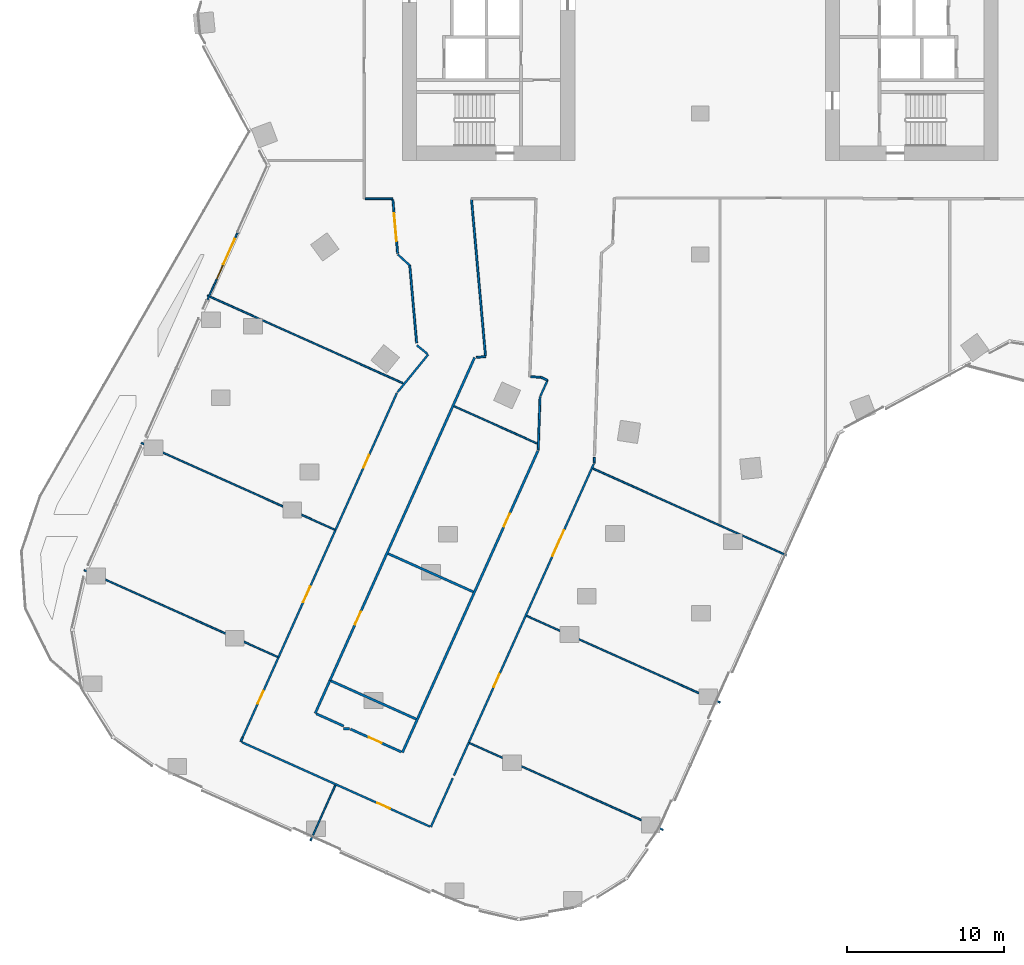
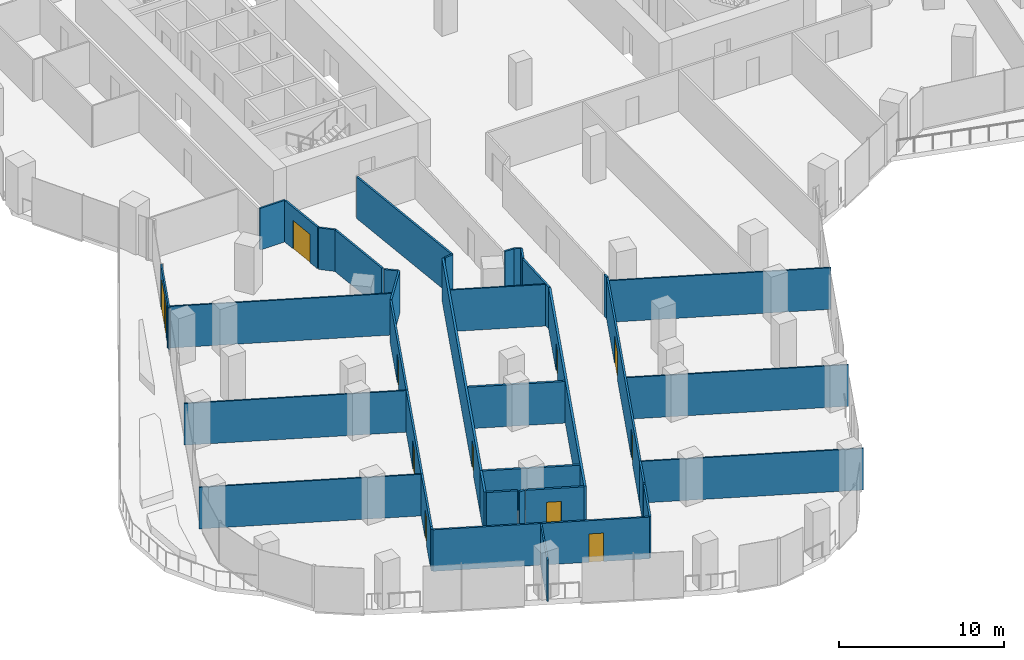
# One storey, part 22 of 32: 38 walls, 11 doors, 1 window, 12 openings.
"""IFC4 building model written with IfcOpenShell, lengths in metres."""

from ifc_helpers import new_model, si_unit, direction, frame, frame_2d, origin, place, context, subcontext, project, spatial, rectangle, extrude, material, layer, layer_set, type_object, element, fill, save


model = new_model("IFC4")

# Units and contexts
model_context = context("Model", 3, precision=1e-05, world=origin(), true_north=direction((0.0, 1.0)))
body_context = subcontext(model_context, "Body", "Model", "MODEL_VIEW")
ifc_project = project(units=[si_unit("LENGTHUNIT", "METRE"), si_unit("AREAUNIT", "SQUARE_METRE"), si_unit("VOLUMEUNIT", "CUBIC_METRE"), si_unit("PLANEANGLEUNIT", "RADIAN"), si_unit("MASSUNIT", "GRAM", prefix="KILO")], contexts=[model_context])

# Site, building, storey
site_placement = place(None, origin())
site = spatial("IfcSite", under=ifc_project, at=site_placement, CompositionType="ELEMENT")
building_placement = place(site_placement, origin())
building = spatial("IfcBuilding", under=site, at=building_placement, Name="Orlundy Tower", CompositionType="ELEMENT")
storey_placement = place(building_placement, frame((0.0, 0.0, 123.699951171875)))
storey = spatial("IfcBuildingStorey", under=building, at=storey_placement, Name="L31", CompositionType="ELEMENT", Elevation=123.699951171875)

# Walls
ifc_material_1 = material(Name="Gypsum board partition")
ifc_layer_1 = layer(ifc_material_1, 0.10009765625)
ifc_layer_set_1 = layer_set([ifc_layer_1], Name="Floor partition 100")
wall_type_1 = type_object("IfcWallType", Name="Floor partition 100", PredefinedType="PARTITIONING", material=ifc_layer_set_1)
wall_1_placement = place(storey_placement, frame((-39.31298828125, -38.14892578125, 0.0), z_axis=(0.0, 0.0, 1.0), x_axis=(0.912365533099, -0.409376518638, 0.0)))
element("IfcWall", 1, at=wall_1_placement, inside=storey, type_object=wall_type_1, Name="wall-int-L31-011", PredefinedType="PARTITIONING", context=body_context, shape_type="SweptSolid", body=[
    extrude(rectangle(XDim=13.532958984375, YDim=0.10009765625, at=frame_2d((6.7666015625, 0.0))), origin(), (0.0, 0.0, 1.0), 3.080078125),
])
wall_2_placement = place(storey_placement, frame((-14.712890625, -49.18798828125, 0.0), z_axis=(0.0, 0.0, 1.0), x_axis=(0.912374858899, -0.409355733865, 0.0)))
element("IfcWall", 2, at=wall_2_placement, inside=storey, type_object=wall_type_1, Name="wall-int-L31-013", PredefinedType="PARTITIONING", context=body_context, shape_type="SweptSolid", body=[
    extrude(rectangle(XDim=13.535888671875, YDim=0.10009765625, at=frame_2d((6.76806640625, 0.0))), origin(), (0.0, 0.0, 1.0), 3.080078125),
])
wall_3_placement = place(storey_placement, frame((-35.669921875, -30.029052734375, 0.0), z_axis=(0.0, 0.0, 1.0), x_axis=(0.912365708641, -0.409376127413, 0.0)))
element("IfcWall", 3, at=wall_3_placement, inside=storey, type_object=wall_type_1, Name="wall-int-L31-014", PredefinedType="PARTITIONING", context=body_context, shape_type="SweptSolid", body=[
    extrude(rectangle(XDim=13.527587890625, YDim=0.10009765625, at=frame_2d((6.763671875, 0.0))), origin(), (0.0, 0.0, 1.0), 3.080078125),
])
wall_4_placement = place(storey_placement, frame((-11.070068359375, -41.068115234375, 0.0), z_axis=(0.0, 0.0, 1.0), x_axis=(0.912396704378, -0.409307041033, 0.0)))
element("IfcWall", 4, at=wall_4_placement, inside=storey, type_object=wall_type_1, Name="wall-int-L31-016", PredefinedType="PARTITIONING", context=body_context, shape_type="SweptSolid", body=[
    extrude(rectangle(XDim=13.536865234375, YDim=0.10009765625, at=frame_2d((6.7685546875, 0.0))), origin(), (0.0, 0.0, 1.0), 3.080078125),
])
wall_5_placement = place(storey_placement, frame((-31.449951171875, -20.625, 0.0), z_axis=(0.0, 0.0, 1.0), x_axis=(0.912363829072, -0.409380316334, 0.0)))
element("IfcWall", 5, at=wall_5_placement, inside=storey, type_object=wall_type_1, Name="wall-int-L31-017", PredefinedType="PARTITIONING", context=body_context, shape_type="SweptSolid", body=[
    extrude(rectangle(XDim=13.698486328125, YDim=0.10009765625, at=frame_2d((6.84912109375, 0.0))), origin(), (0.0, 0.0, 1.0), 3.080078125),
])
wall_6_placement = place(storey_placement, frame((-15.7041015625, -27.69189453125, 0.0), z_axis=(0.0, 0.0, 1.0), x_axis=(0.912424912587, -0.409244155597, 0.0)))
element("IfcWall", 6, at=wall_6_placement, inside=storey, type_object=wall_type_1, Name="wall-int-L31-018", PredefinedType="PARTITIONING", context=body_context, shape_type="SweptSolid", body=[
    extrude(rectangle(XDim=5.808837890625, YDim=0.10009765625, at=frame_2d((2.904296875, 0.0))), origin(), (0.0, 0.0, 1.0), 3.080078125),
])
wall_7_placement = place(storey_placement, frame((-6.85009765625, -31.6640625, 0.0), z_axis=(0.0, 0.0, 1.0), x_axis=(0.912350935383, -0.409409050591, 0.0)))
element("IfcWall", 7, at=wall_7_placement, inside=storey, type_object=wall_type_1, Name="wall-int-L31-019", PredefinedType="PARTITIONING", context=body_context, shape_type="SweptSolid", body=[
    extrude(rectangle(XDim=13.53662109375, YDim=0.10009765625, at=frame_2d((6.768310546875, 0.0))), origin(), (0.0, 0.0, 1.0), 3.080078125),
])
wall_8_placement = place(storey_placement, frame((-24.87109375, -55.425048828125, 0.0), z_axis=(0.0, 0.0, 1.0), x_axis=(0.409358881384, 0.912373446694, 0.0)))
element("IfcWall", 8, at=wall_8_placement, inside=storey, type_object=wall_type_1, Name="wall-int-L31-059", PredefinedType="PARTITIONING", context=body_context, shape_type="SweptSolid", body=[
    extrude(rectangle(XDim=3.88671875, YDim=0.10009765625, at=frame_2d((1.943359375, 0.0))), origin(), (0.0, 0.0, 1.0), 3.080078125),
])

# Wall, opening, door
ifc_material_2 = material(Name="Gypsum board partition, double layer")
ifc_layer_2 = layer(ifc_material_2, 0.125)
ifc_layer_set_2 = layer_set([ifc_layer_2], Name="Floor partition 125")
wall_type_2 = type_object("IfcWallType", Name="Floor partition 125", PredefinedType="PARTITIONING", material=ifc_layer_set_2)
wall_9_placement = place(storey_placement, frame((-19.304931640625, -17.94189453125, 0.0), z_axis=(0.0, 0.0, 1.0), x_axis=(-0.088649243985, 0.996062905414, 0.0)))
wall_9 = element("IfcWall", 9, at=wall_9_placement, inside=storey, type_object=wall_type_2, Name="wall-int-L31-001", PredefinedType="PARTITIONING", context=body_context, shape_type="SweptSolid", body=[
    extrude(rectangle(XDim=3.442626953125, YDim=0.125, at=frame_2d((1.72119140625, 0.0))), origin(), (0.0, 0.0, 1.0), 3.080078125),
])
opening_1_placement = place(wall_9_placement, frame((0.78759765625, 0.0, 0.0)))
opening_1 = element("IfcOpeningElement", 10, at=opening_1_placement, cuts=wall_9, Name="Opening 24121", PredefinedType="OPENING", context=body_context, shape_type="SweptSolid", body=[
    extrude(rectangle(XDim=1.800048828125, YDim=2.10009765625, at=frame_2d((0.89990234375, 1.050048828125))), frame((0.0, 0.072509765625, 0.0), z_axis=(0.0, -1.0, 0.0), x_axis=(1.0, 0.0, 0.0)), (0.0, 0.0, 1.0), 0.14501953125),
])
ifc_material_3 = material(Name="Timber door leaf", Category="wood")
door_type_1 = type_object("IfcDoorType", Name="Floor door double 1800 FD30S", OperationType="NOTDEFINED", PredefinedType="DOOR", material=ifc_material_3)
door_1_placement = place(opening_1_placement, origin())
door_1 = element("IfcDoor", 11, at=door_1_placement, inside=storey, type_object=door_type_1, Name="Door 24121", OperationType="DOUBLE_DOOR_SINGLE_SWING", OverallHeight=2.10009765625, OverallWidth=1.800048828125, PredefinedType="DOOR", context=body_context, shape_type="SweptSolid", body=[
    extrude(rectangle(XDim=1.800048828125, YDim=2.10009765625, at=frame_2d((0.89990234375, 1.050048828125))), frame((0.0, 0.02490234375, 0.0), z_axis=(0.0, -1.0, 0.0), x_axis=(1.0, 0.0, 0.0)), (0.0, 0.0, 1.0), 0.050048828125),
])
fill(opening_1, door_1)

# Walls
wall_10_placement = place(storey_placement, frame((-18.532958984375, -18.701904296875, 0.0), z_axis=(0.0, 0.0, 1.0), x_axis=(0.088684868858, -0.99605973417, 0.0)))
element("IfcWall", 12, at=wall_10_placement, inside=storey, type_object=wall_type_2, Name="wall-int-L31-002", PredefinedType="PARTITIONING", context=body_context, shape_type="SweptSolid", body=[
    extrude(rectangle(XDim=4.9716796875, YDim=0.125, at=frame_2d((2.48583984375, 0.0))), origin(), (0.0, 0.0, 1.0), 3.080078125),
])
wall_11_placement = place(storey_placement, frame((-14.589111328125, -14.512939453125, 0.0), z_axis=(0.0, 0.0, 1.0), x_axis=(0.088989077037, -0.99603260196, 0.0)))
element("IfcWall", 13, at=wall_11_placement, inside=storey, type_object=wall_type_2, Name="wall-int-L31-003", PredefinedType="PARTITIONING", context=body_context, shape_type="SweptSolid", body=[
    extrude(rectangle(XDim=9.99169921875, YDim=0.125, at=frame_2d((4.995849609375, 0.0))), origin(), (0.0, 0.0, 1.0), 3.080078125),
])
wall_12_placement = place(storey_placement, frame((-18.0791015625, -23.802001953125, 0.0), z_axis=(0.0, 0.0, 1.0), x_axis=(0.775128356152, -0.631803791923, 0.0)))
element("IfcWall", 14, at=wall_12_placement, inside=storey, type_object=wall_type_2, Name="wall-int-L31-005", PredefinedType="PARTITIONING", context=body_context, shape_type="SweptSolid", body=[
    extrude(rectangle(XDim=0.8720703125, YDim=0.125, at=frame_2d((0.43603515625, 0.0))), origin(), (0.0, 0.0, 1.0), 3.080078125),
])
wall_13_placement = place(storey_placement, frame((-10.173095703125, -25.837890625, 0.0), z_axis=(0.0, 0.0, 1.0), x_axis=(0.909209708064, -0.416338452178, 0.0)))
element("IfcWall", 15, at=wall_13_placement, inside=storey, type_object=wall_type_2, Name="wall-int-L31-006", PredefinedType="PARTITIONING", context=body_context, shape_type="SweptSolid", body=[
    extrude(rectangle(XDim=0.478515625, YDim=0.125, at=frame_2d((0.2392578125, 0.0))), origin(), (0.0, 0.0, 1.0), 3.080078125),
])

# Wall, opening, door
wall_14_placement = place(storey_placement, frame((-17.239013671875, -54.52099609375, 0.0), z_axis=(0.0, 0.0, 1.0), x_axis=(-0.912380528424, 0.409343097355, 0.0)))
wall_14 = element("IfcWall", 16, at=wall_14_placement, inside=storey, type_object=wall_type_2, Name="wall-int-L31-008", PredefinedType="PARTITIONING", context=body_context, shape_type="SweptSolid", body=[
    extrude(rectangle(XDim=13.1796875, YDim=0.125, at=frame_2d((6.58984375, 0.0))), origin(), (0.0, 0.0, 1.0), 3.080078125),
])
opening_2_placement = place(wall_14_placement, frame((2.791748046875, 0.0, 0.0)))
opening_2 = element("IfcOpeningElement", 17, at=opening_2_placement, cuts=wall_14, Name="Opening 24116", PredefinedType="OPENING", context=body_context, shape_type="SweptSolid", body=[
    extrude(rectangle(XDim=0.89990234375, YDim=2.10009765625, at=frame_2d((0.449951171875, 1.050048828125))), frame((0.0, 0.072509765625, 0.0), z_axis=(0.0, -1.0, 0.0), x_axis=(1.0, 0.0, 0.0)), (0.0, 0.0, 1.0), 0.14501953125),
])
ifc_material_4 = material(Name="Timber door leaf", Category="wood")
door_type_2 = type_object("IfcDoorType", Name="Floor door single 900 FD30S", OperationType="NOTDEFINED", PredefinedType="DOOR", material=ifc_material_4)
door_2_placement = place(opening_2_placement, origin())
door_2 = element("IfcDoor", 18, at=door_2_placement, inside=storey, type_object=door_type_2, Name="Door 24116", OperationType="SINGLE_SWING_LEFT", OverallHeight=2.10009765625, OverallWidth=0.89990234375, PredefinedType="DOOR", context=body_context, shape_type="SweptSolid", body=[
    extrude(rectangle(XDim=0.89990234375, YDim=2.10009765625, at=frame_2d((0.449951171875, 1.050048828125))), frame((0.0, 0.02490234375, 0.0), z_axis=(0.0, -1.0, 0.0), x_axis=(1.0, 0.0, 0.0)), (0.0, 0.0, 1.0), 0.050048828125),
])
fill(opening_2, door_2)

# Walls
wall_15_placement = place(storey_placement, frame((-10.81103515625, -25.81591796875, 0.0), z_axis=(0.0, 0.0, 1.0), x_axis=(0.99940736131, -0.034422756417, 0.0)))
element("IfcWall", 19, at=wall_15_placement, inside=storey, type_object=wall_type_2, Name="wall-int-L31-033", PredefinedType="PARTITIONING", context=body_context, shape_type="SweptSolid", body=[
    extrude(rectangle(XDim=0.638427734375, YDim=0.125, at=frame_2d((0.3193359375, 0.0))), origin(), (0.0, 0.0, 1.0), 3.080078125),
])
wall_16_placement = place(storey_placement, frame((-21.386962890625, -14.450927734375, 0.0), z_axis=(0.0, 0.0, 1.0), x_axis=(1.0, 0.0, 0.0)))
element("IfcWall", 20, at=wall_16_placement, inside=storey, type_object=wall_type_2, Name="wall-int-L31-036", PredefinedType="PARTITIONING", context=body_context, shape_type="SweptSolid", body=[
    extrude(rectangle(XDim=1.77099609375, YDim=0.125, at=frame_2d((0.885498046875, 0.0))), origin(), (0.0, 0.0, 1.0), 3.080078125),
])
wall_17_placement = place(storey_placement, frame((-14.27392578125, -24.573974609375, 0.0), z_axis=(0.0, 0.0, 1.0), x_axis=(0.996111374158, 0.088102952687, 0.0)))
element("IfcWall", 21, at=wall_17_placement, inside=storey, type_object=wall_type_2, Name="wall-int-L31-049", PredefinedType="PARTITIONING", context=body_context, shape_type="SweptSolid", body=[
    extrude(rectangle(XDim=0.5791015625, YDim=0.125, at=frame_2d((0.28955078125, 0.0))), origin(), (0.0, 0.0, 1.0), 3.080078125),
])
wall_18_placement = place(storey_placement, frame((-19.298095703125, -18.0048828125, 0.0), z_axis=(0.0, 0.0, 1.0), x_axis=(0.739245917037, -0.673435575348, 0.0)))
element("IfcWall", 22, at=wall_18_placement, inside=storey, type_object=wall_type_2, Name="wall-int-L31-050", PredefinedType="PARTITIONING", context=body_context, shape_type="SweptSolid", body=[
    extrude(rectangle(XDim=1.034912109375, YDim=0.125, at=frame_2d((0.517578125, 0.0))), origin(), (0.0, 0.0, 1.0), 3.080078125),
])
wall_19_placement = place(storey_placement, frame((-19.31103515625, -26.79296875, 0.0), z_axis=(0.0, 0.0, 1.0), x_axis=(0.631476442345, 0.77539506238, 0.0)))
element("IfcWall", 23, at=wall_19_placement, inside=storey, type_object=wall_type_2, Name="wall-int-L31-052", PredefinedType="PARTITIONING", context=body_context, shape_type="SweptSolid", body=[
    extrude(rectangle(XDim=3.09765625, YDim=0.125, at=frame_2d((1.548828125, 0.0))), origin(), (0.0, 0.0, 1.0), 3.080078125),
])
wall_20_placement = place(storey_placement, frame((-10.19091796875, -27.030029296875, 0.0), z_axis=(0.0, 0.0, 1.0), x_axis=(0.414982438297, 0.909829421323, 0.0)))
element("IfcWall", 24, at=wall_20_placement, inside=storey, type_object=wall_type_2, Name="wall-int-L31-054", PredefinedType="PARTITIONING", context=body_context, shape_type="SweptSolid", body=[
    extrude(rectangle(XDim=1.09130859375, YDim=0.125, at=frame_2d((0.545654296875, 0.0))), origin(), (0.0, 0.0, 1.0), 3.080078125),
])
wall_21_placement = place(storey_placement, frame((-15.7119140625, -51.260009765625, 0.0), z_axis=(0.0, 0.0, 1.0), x_axis=(0.409583190249, 0.912272771854, 0.0)))
element("IfcWall", 25, at=wall_21_placement, inside=storey, type_object=wall_type_2, Name="wall-int-L31-055", PredefinedType="PARTITIONING", context=body_context, shape_type="SweptSolid", body=[
    extrude(rectangle(XDim=2.299560546875, YDim=0.125, at=frame_2d((1.14990234375, 0.0))), origin(), (0.0, 0.0, 1.0), 3.080078125),
])
wall_22_placement = place(storey_placement, frame((-17.18603515625, -54.544921875, 0.0), z_axis=(0.0, 0.0, 1.0), x_axis=(0.409572220998, 0.91227769664, 0.0)))
element("IfcWall", 26, at=wall_22_placement, inside=storey, type_object=wall_type_2, Name="wall-int-L31-056", PredefinedType="PARTITIONING", context=body_context, shape_type="SweptSolid", body=[
    extrude(rectangle(XDim=3.4208984375, YDim=0.125, at=frame_2d((1.71044921875, 0.0))), origin(), (0.0, 0.0, 1.0), 3.080078125),
])

# Wall, openings, doors
wall_23_placement = place(storey_placement, frame((-6.7890625, -31.3740234375, 0.0), z_axis=(0.0, 0.0, 1.0), x_axis=(-0.409354309939, -0.912375497772, 0.0)))
wall_23 = element("IfcWall", 27, at=wall_23_placement, inside=storey, type_object=wall_type_2, Name="wall-int-L31-057", PredefinedType="PARTITIONING", context=body_context, shape_type="SweptSolid", body=[
    extrude(rectangle(XDim=19.496337890625, YDim=0.125, at=frame_2d((9.748046875, 0.0))), origin(), (0.0, 0.0, 1.0), 3.080078125),
])
opening_3_placement = place(wall_23_placement, frame((4.63916015625, 0.0, 0.0)))
opening_3 = element("IfcOpeningElement", 28, at=opening_3_placement, cuts=wall_23, Name="Opening 24112", PredefinedType="OPENING", context=body_context, shape_type="SweptSolid", body=[
    extrude(rectangle(XDim=1.800048828125, YDim=2.10009765625, at=frame_2d((0.89990234375, 1.050048828125))), frame((0.0, 0.072509765625, 0.0), z_axis=(0.0, -1.0, 0.0), x_axis=(1.0, 0.0, 0.0)), (0.0, 0.0, 1.0), 0.14501953125),
])
opening_4_placement = place(wall_23_placement, frame((14.696533203125, 0.0, 0.0)))
opening_4 = element("IfcOpeningElement", 29, at=opening_4_placement, cuts=wall_23, Name="Opening 24113", PredefinedType="OPENING", context=body_context, shape_type="SweptSolid", body=[
    extrude(rectangle(XDim=0.89990234375, YDim=2.10009765625, at=frame_2d((0.449951171875, 1.050048828125))), frame((0.0, 0.072509765625, 0.0), z_axis=(0.0, -1.0, 0.0), x_axis=(1.0, 0.0, 0.0)), (0.0, 0.0, 1.0), 0.14501953125),
])
door_3_placement = place(opening_3_placement, origin())
door_3 = element("IfcDoor", 30, at=door_3_placement, inside=storey, type_object=door_type_1, Name="Door 24112", OperationType="DOUBLE_DOOR_SINGLE_SWING", OverallHeight=2.10009765625, OverallWidth=1.800048828125, PredefinedType="DOOR", context=body_context, shape_type="SweptSolid", body=[
    extrude(rectangle(XDim=1.800048828125, YDim=2.10009765625, at=frame_2d((0.89990234375, 1.050048828125))), frame((0.0, 0.02490234375, 0.0), z_axis=(0.0, -1.0, 0.0), x_axis=(1.0, 0.0, 0.0)), (0.0, 0.0, 1.0), 0.050048828125),
])
fill(opening_3, door_3)
door_4_placement = place(opening_4_placement, origin())
door_4 = element("IfcDoor", 31, at=door_4_placement, inside=storey, type_object=door_type_2, Name="Door 24113", OperationType="SINGLE_SWING_RIGHT", OverallHeight=2.10009765625, OverallWidth=0.89990234375, PredefinedType="DOOR", context=body_context, shape_type="SweptSolid", body=[
    extrude(rectangle(XDim=0.89990234375, YDim=2.10009765625, at=frame_2d((0.449951171875, 1.050048828125))), frame((0.0, 0.02490234375, 0.0), z_axis=(0.0, -1.0, 0.0), x_axis=(1.0, 0.0, 0.0)), (0.0, 0.0, 1.0), 0.050048828125),
])
fill(opening_4, door_4)

# Wall, opening, door
wall_24_placement = place(storey_placement, frame((-29.198974609375, -48.825927734375, 0.0), z_axis=(0.0, 0.0, 1.0), x_axis=(0.408903193062, 0.912577765839, 0.0)))
wall_24 = element("IfcWall", 32, at=wall_24_placement, inside=storey, type_object=wall_type_2, Name="wall-int-L31-062", PredefinedType="PARTITIONING", context=body_context, shape_type="SweptSolid", body=[
    extrude(rectangle(XDim=5.600341796875, YDim=0.125, at=frame_2d((2.80029296875, 0.0))), origin(), (0.0, 0.0, 1.0), 3.080078125),
])
opening_5_placement = place(wall_24_placement, frame((2.35009765625, 0.0, 0.0)))
opening_5 = element("IfcOpeningElement", 33, at=opening_5_placement, cuts=wall_24, Name="Opening 24117", PredefinedType="OPENING", context=body_context, shape_type="SweptSolid", body=[
    extrude(rectangle(XDim=0.89990234375, YDim=2.10009765625, at=frame_2d((0.449951171875, 1.050048828125))), frame((0.0, 0.072509765625, 0.0), z_axis=(0.0, -1.0, 0.0), x_axis=(1.0, 0.0, 0.0)), (0.0, 0.0, 1.0), 0.14501953125),
])
door_5_placement = place(opening_5_placement, origin())
door_5 = element("IfcDoor", 34, at=door_5_placement, inside=storey, type_object=door_type_2, Name="Door 24117", OperationType="SINGLE_SWING_LEFT", OverallHeight=2.10009765625, OverallWidth=0.89990234375, PredefinedType="DOOR", context=body_context, shape_type="SweptSolid", body=[
    extrude(rectangle(XDim=0.89990234375, YDim=2.10009765625, at=frame_2d((0.449951171875, 1.050048828125))), frame((0.0, 0.02490234375, 0.0), z_axis=(0.0, -1.0, 0.0), x_axis=(1.0, 0.0, 0.0)), (0.0, 0.0, 1.0), 0.050048828125),
])
fill(opening_5, door_5)

wall_25_placement = place(storey_placement, frame((-23.27099609375, -35.593017578125, 0.0), z_axis=(0.0, 0.0, 1.0), x_axis=(0.408848301026, 0.9126023596, 0.0)))
wall_25 = element("IfcWall", 35, at=wall_25_placement, inside=storey, type_object=wall_type_2, Name="wall-int-L31-063", PredefinedType="PARTITIONING", context=body_context, shape_type="SweptSolid", body=[
    extrude(rectangle(XDim=9.590087890625, YDim=0.125, at=frame_2d((4.794921875, 0.0))), origin(), (0.0, 0.0, 1.0), 3.080078125),
])
opening_6_placement = place(wall_25_placement, frame((4.35009765625, 0.0, 0.0)))
opening_6 = element("IfcOpeningElement", 36, at=opening_6_placement, cuts=wall_25, Name="Opening 24118", PredefinedType="OPENING", context=body_context, shape_type="SweptSolid", body=[
    extrude(rectangle(XDim=0.89990234375, YDim=2.10009765625, at=frame_2d((0.449951171875, 1.050048828125))), frame((0.0, 0.072509765625, 0.0), z_axis=(0.0, -1.0, 0.0), x_axis=(1.0, 0.0, 0.0)), (0.0, 0.0, 1.0), 0.14501953125),
])
door_6_placement = place(opening_6_placement, origin())
door_6 = element("IfcDoor", 37, at=door_6_placement, inside=storey, type_object=door_type_2, Name="Door 24118", OperationType="SINGLE_SWING_RIGHT", OverallHeight=2.10009765625, OverallWidth=0.89990234375, PredefinedType="DOOR", context=body_context, shape_type="SweptSolid", body=[
    extrude(rectangle(XDim=0.89990234375, YDim=2.10009765625, at=frame_2d((0.449951171875, 1.050048828125))), frame((0.0, 0.02490234375, 0.0), z_axis=(0.0, -1.0, 0.0), x_axis=(1.0, 0.0, 0.0)), (0.0, 0.0, 1.0), 0.050048828125),
])
fill(opening_6, door_6)

wall_26_placement = place(storey_placement, frame((-26.908935546875, -43.715087890625, 0.0), z_axis=(0.0, 0.0, 1.0), x_axis=(0.408776260382, 0.912634630588, 0.0)))
wall_26 = element("IfcWall", 38, at=wall_26_placement, inside=storey, type_object=wall_type_2, Name="wall-int-L31-064", PredefinedType="PARTITIONING", context=body_context, shape_type="SweptSolid", body=[
    extrude(rectangle(XDim=8.899658203125, YDim=0.125, at=frame_2d((4.44970703125, 0.0))), origin(), (0.0, 0.0, 1.0), 3.080078125),
])
opening_7_placement = place(wall_26_placement, frame((3.85009765625, 0.0, 0.0)))
opening_7 = element("IfcOpeningElement", 39, at=opening_7_placement, cuts=wall_26, Name="Opening 24119", PredefinedType="OPENING", context=body_context, shape_type="SweptSolid", body=[
    extrude(rectangle(XDim=1.10009765625, YDim=2.10009765625, at=frame_2d((0.550048828125, 1.050048828125))), frame((0.0, 0.072509765625, 0.0), z_axis=(0.0, -1.0, 0.0), x_axis=(1.0, 0.0, 0.0)), (0.0, 0.0, 1.0), 0.14501953125),
])
ifc_material_5 = material(Name="Timber door leaf", Category="wood")
door_type_3 = type_object("IfcDoorType", Name="Floor door xwide 1100 FD30S", OperationType="NOTDEFINED", PredefinedType="DOOR", material=ifc_material_5)
door_7_placement = place(opening_7_placement, origin())
door_7 = element("IfcDoor", 40, at=door_7_placement, inside=storey, type_object=door_type_3, Name="Door 24119", OperationType="SINGLE_SWING_LEFT", OverallHeight=2.10009765625, OverallWidth=1.10009765625, PredefinedType="DOOR", context=body_context, shape_type="SweptSolid", body=[
    extrude(rectangle(XDim=1.10009765625, YDim=2.10009765625, at=frame_2d((0.550048828125, 1.050048828125))), frame((0.0, 0.02490234375, 0.0), z_axis=(0.0, -1.0, 0.0), x_axis=(1.0, 0.0, 0.0)), (0.0, 0.0, 1.0), 0.050048828125),
])
fill(opening_7, door_7)

# Walls
wall_27_placement = place(storey_placement, frame((-29.321044921875, -49.09912109375, 0.0), z_axis=(0.0, 0.0, 1.0), x_axis=(0.407954532979, 0.913002244807, 0.0)))
element("IfcWall", 41, at=wall_27_placement, inside=storey, type_object=wall_type_2, Name="wall-int-L31-065", PredefinedType="PARTITIONING", context=body_context, shape_type="SweptSolid", body=[
    extrude(rectangle(XDim=0.29931640625, YDim=0.125, at=frame_2d((0.149658203125, 0.0))), origin(), (0.0, 0.0, 1.0), 3.080078125),
])
wall_28_placement = place(storey_placement, frame((-6.762939453125, -31.31689453125, 0.0), z_axis=(0.0, 0.0, 1.0), x_axis=(0.036227912686, 0.99934355371, 0.0)))
element("IfcWall", 42, at=wall_28_placement, inside=storey, type_object=wall_type_2, Name="wall-int-L31-082", PredefinedType="PARTITIONING", context=body_context, shape_type="SweptSolid", body=[
    extrude(rectangle(XDim=0.357177734375, YDim=0.125, at=frame_2d((0.1787109375, 0.0))), origin(), (0.0, 0.0, 1.0), 3.080078125),
])
wall_29_placement = place(storey_placement, frame((-10.217041015625, -27.0869140625, 0.0), z_axis=(0.0, 0.0, 1.0), x_axis=(-0.035243479781, -0.999378755594, 0.0)))
element("IfcWall", 43, at=wall_29_placement, inside=storey, type_object=wall_type_2, Name="wall-int-L31-085", PredefinedType="PARTITIONING", context=body_context, shape_type="SweptSolid", body=[
    extrude(rectangle(XDim=3.4013671875, YDim=0.125, at=frame_2d((1.70068359375, 0.0))), origin(), (0.0, 0.0, 1.0), 3.080078125),
])
ifc_material_6 = material(Name="Blockwork shaft wall", Category="masonry")
ifc_layer_3 = layer(ifc_material_6, 0.14990234375)
ifc_layer_set_3 = layer_set([ifc_layer_3], Name="Floor shaft wall 150")
wall_type_3 = type_object("IfcWallType", Name="Floor shaft wall 150", PredefinedType="PARTITIONING", material=ifc_layer_set_3)
wall_30_placement = place(storey_placement, frame((-24.49609375, -47.319091796875, 0.0), z_axis=(0.0, 0.0, 1.0), x_axis=(0.912484662613, -0.409110914663, 0.0)))
element("IfcWall", 44, at=wall_30_placement, inside=storey, type_object=wall_type_3, Name="wall-int-L31-009", PredefinedType="PARTITIONING", context=body_context, shape_type="SweptSolid", body=[
    extrude(rectangle(XDim=1.911376953125, YDim=0.14990234375, at=frame_2d((0.95556640625, 0.0))), origin(), (0.0, 0.0, 1.0), 3.080078125),
])

# Wall, opening, door
wall_31_placement = place(storey_placement, frame((-22.31005859375, -48.300048828125, 0.0), z_axis=(0.0, 0.0, 1.0), x_axis=(0.912496069824, -0.409085470966, 0.0)))
wall_31 = element("IfcWall", 45, at=wall_31_placement, inside=storey, type_object=wall_type_3, Name="wall-int-L31-010", PredefinedType="PARTITIONING", context=body_context, shape_type="SweptSolid", body=[
    extrude(rectangle(XDim=3.556396484375, YDim=0.14990234375, at=frame_2d((1.7783203125, 0.0))), origin(), (0.0, 0.0, 1.0), 3.080078125),
])
opening_8_placement = place(wall_31_placement, frame((1.27490234375, 0.0, 0.0)))
opening_8 = element("IfcOpeningElement", 46, at=opening_8_placement, cuts=wall_31, Name="Opening 24111", PredefinedType="OPENING", context=body_context, shape_type="SweptSolid", body=[
    extrude(rectangle(XDim=0.89990234375, YDim=2.10009765625, at=frame_2d((0.449951171875, 1.050048828125))), frame((0.0, 0.0849609375, 0.0), z_axis=(0.0, -1.0, 0.0), x_axis=(1.0, 0.0, 0.0)), (0.0, 0.0, 1.0), 0.169921875),
])
ifc_material_7 = material(Name="Timber door leaf", Category="wood")
door_type_4 = type_object("IfcDoorType", Name="Floor door single 900 FD60", OperationType="NOTDEFINED", PredefinedType="DOOR", material=ifc_material_7)
door_8_placement = place(opening_8_placement, origin())
door_8 = element("IfcDoor", 47, at=door_8_placement, inside=storey, type_object=door_type_4, Name="Door 24111", OperationType="SINGLE_SWING_LEFT", OverallHeight=2.10009765625, OverallWidth=0.89990234375, PredefinedType="DOOR", context=body_context, shape_type="SweptSolid", body=[
    extrude(rectangle(XDim=0.89990234375, YDim=2.10009765625, at=frame_2d((0.449951171875, 1.050048828125))), frame((0.0, 0.02490234375, 0.0), z_axis=(0.0, -1.0, 0.0), x_axis=(1.0, 0.0, 0.0)), (0.0, 0.0, 1.0), 0.050048828125),
])
fill(opening_8, door_8)

# Walls
wall_32_placement = place(storey_placement, frame((-23.555908203125, -45.219970703125, 0.0), z_axis=(0.0, 0.0, 1.0), x_axis=(0.912409553787, -0.409278396886, 0.0)))
element("IfcWall", 48, at=wall_32_placement, inside=storey, type_object=wall_type_3, Name="wall-int-L31-012", PredefinedType="PARTITIONING", context=body_context, shape_type="SweptSolid", body=[
    extrude(rectangle(XDim=5.954345703125, YDim=0.14990234375, at=frame_2d((2.97705078125, 0.0))), origin(), (0.0, 0.0, 1.0), 3.080078125),
])
wall_33_placement = place(storey_placement, frame((-19.9169921875, -37.097900390625, 0.0), z_axis=(0.0, 0.0, 1.0), x_axis=(0.912388526433, -0.409325270211, 0.0)))
element("IfcWall", 49, at=wall_33_placement, inside=storey, type_object=wall_type_3, Name="wall-int-L31-015", PredefinedType="PARTITIONING", context=body_context, shape_type="SweptSolid", body=[
    extrude(rectangle(XDim=5.958984375, YDim=0.14990234375, at=frame_2d((2.9794921875, 0.0))), origin(), (0.0, 0.0, 1.0), 3.080078125),
])
wall_34_placement = place(storey_placement, frame((-22.751953125, -48.26806640625, 0.0), z_axis=(0.0, 0.0, 1.0), x_axis=(1.0, 0.0, 0.0)))
element("IfcWall", 50, at=wall_34_placement, inside=storey, type_object=wall_type_3, Name="wall-int-L31-035", PredefinedType="PARTITIONING", context=body_context, shape_type="SweptSolid", body=[
    extrude(rectangle(XDim=0.3740234375, YDim=0.14990234375, at=frame_2d((0.18701171875, 0.0))), origin(), (0.0, 0.0, 1.0), 3.080078125),
])

# Wall, opening, door
wall_35_placement = place(storey_placement, frame((-18.9970703125, -49.785888671875, 0.0), z_axis=(0.0, 0.0, 1.0), x_axis=(0.409621859923, 0.912255409342, 0.0)))
wall_35 = element("IfcWall", 51, at=wall_35_placement, inside=storey, type_object=wall_type_3, Name="wall-int-L31-058", PredefinedType="PARTITIONING", context=body_context, shape_type="SweptSolid", body=[
    extrude(rectangle(XDim=21.090576171875, YDim=0.14990234375, at=frame_2d((10.54541015625, 0.0))), origin(), (0.0, 0.0, 1.0), 3.080078125),
])
opening_9_placement = place(wall_35_placement, frame((15.799560546875, 0.0, 0.0)))
opening_9 = element("IfcOpeningElement", 52, at=opening_9_placement, cuts=wall_35, Name="Opening 24114", PredefinedType="OPENING", context=body_context, shape_type="SweptSolid", body=[
    extrude(rectangle(XDim=0.89990234375, YDim=2.10009765625, at=frame_2d((0.449951171875, 1.050048828125))), frame((0.0, 0.0849609375, 0.0), z_axis=(0.0, -1.0, 0.0), x_axis=(1.0, 0.0, 0.0)), (0.0, 0.0, 1.0), 0.169921875),
])
door_9_placement = place(opening_9_placement, origin())
door_9 = element("IfcDoor", 53, at=door_9_placement, inside=storey, type_object=door_type_4, Name="Door 24114", OperationType="SINGLE_SWING_RIGHT", OverallHeight=2.10009765625, OverallWidth=0.89990234375, PredefinedType="DOOR", context=body_context, shape_type="SweptSolid", body=[
    extrude(rectangle(XDim=0.89990234375, YDim=2.10009765625, at=frame_2d((0.449951171875, 1.050048828125))), frame((0.0, 0.02490234375, 0.0), z_axis=(0.0, -1.0, 0.0), x_axis=(1.0, 0.0, 0.0)), (0.0, 0.0, 1.0), 0.050048828125),
])
fill(opening_9, door_9)

wall_36_placement = place(storey_placement, frame((-14.39306640625, -24.5849609375, 0.0), z_axis=(0.0, 0.0, 1.0), x_axis=(-0.408859666491, -0.912597267756, 0.0)))
wall_36 = element("IfcWall", 54, at=wall_36_placement, inside=storey, type_object=wall_type_3, Name="wall-int-L31-060", PredefinedType="PARTITIONING", context=body_context, shape_type="SweptSolid", body=[
    extrude(rectangle(XDim=22.577392578125, YDim=0.14990234375, at=frame_2d((11.28857421875, 0.0))), origin(), (0.0, 0.0, 1.0), 3.080078125),
])
opening_10_placement = place(wall_36_placement, frame((17.777099609375, 0.0, 0.0)))
opening_10 = element("IfcOpeningElement", 55, at=opening_10_placement, cuts=wall_36, Name="Opening 24115", PredefinedType="OPENING", context=body_context, shape_type="SweptSolid", body=[
    extrude(rectangle(XDim=0.89990234375, YDim=2.10009765625, at=frame_2d((0.449951171875, 1.050048828125))), frame((0.0, 0.0849609375, 0.0), z_axis=(0.0, -1.0, 0.0), x_axis=(1.0, 0.0, 0.0)), (0.0, 0.0, 1.0), 0.169921875),
])
door_10_placement = place(opening_10_placement, origin())
door_10 = element("IfcDoor", 56, at=door_10_placement, inside=storey, type_object=door_type_4, Name="Door 24115", OperationType="SINGLE_SWING_RIGHT", OverallHeight=2.10009765625, OverallWidth=0.89990234375, PredefinedType="DOOR", context=body_context, shape_type="SweptSolid", body=[
    extrude(rectangle(XDim=0.89990234375, YDim=2.10009765625, at=frame_2d((0.449951171875, 1.050048828125))), frame((0.0, 0.02490234375, 0.0), z_axis=(0.0, -1.0, 0.0), x_axis=(1.0, 0.0, 0.0)), (0.0, 0.0, 1.0), 0.050048828125),
])
fill(opening_10, door_10)

# Wall
wall_37_placement = place(storey_placement, frame((-24.56396484375, -47.2880859375, 0.0), z_axis=(0.0, 0.0, 1.0), x_axis=(0.408677932569, 0.912678666033, 0.0)))
element("IfcWall", 57, at=wall_37_placement, inside=storey, type_object=wall_type_3, Name="wall-int-L31-061", PredefinedType="PARTITIONING", context=body_context, shape_type="SweptSolid", body=[
    extrude(rectangle(XDim=2.300048828125, YDim=0.14990234375, at=frame_2d((1.14990234375, 0.0))), origin(), (0.0, 0.0, 1.0), 3.080078125),
])

# Wall, openings, window, door
ifc_material_8 = material(Name="Aluminium bronze and tinted glass", Category="aluminium")
ifc_layer_4 = layer(ifc_material_8, 0.10009765625)
ifc_layer_set_4 = layer_set([ifc_layer_4], Name="Glazed door screen")
wall_type_4 = type_object("IfcWallType", Name="Glazed door screen", PredefinedType="STANDARD", material=ifc_layer_set_4)
wall_38_placement = place(storey_placement, frame((-31.447021484375, -20.911865234375, 0.0), z_axis=(0.0, 0.0, 1.0), x_axis=(0.409400034272, 0.912354981319, 0.0)))
wall_38 = element("IfcWall", 58, at=wall_38_placement, inside=storey, type_object=wall_type_4, Name="Glazed door screen", PredefinedType="STANDARD", context=body_context, shape_type="SweptSolid", body=[
    extrude(rectangle(XDim=4.705078125, YDim=0.10009765625, at=frame_2d((2.3525390625, 0.0))), origin(), (0.0, 0.0, 1.0), 3.10009765625),
])
opening_11_placement = place(wall_38_placement, frame((2.4716796875, 0.0, 0.0)))
opening_11 = element("IfcOpeningElement", 59, at=opening_11_placement, cuts=wall_38, Name="Opening 24940", PredefinedType="OPENING", context=body_context, shape_type="SweptSolid", body=[
    extrude(rectangle(XDim=1.800048828125, YDim=2.39990234375, at=frame_2d((0.89990234375, 1.199951171875))), frame((0.0, 0.06005859375, 0.0), z_axis=(0.0, -1.0, 0.0), x_axis=(1.0, 0.0, 0.0)), (0.0, 0.0, 1.0), 0.1201171875),
])
opening_12_placement = place(wall_38_placement, frame((1.4716796875, 0.0, 0.0)))
opening_12 = element("IfcOpeningElement", 60, at=opening_12_placement, cuts=wall_38, Name="Opening W02", PredefinedType="OPENING", context=body_context, shape_type="SweptSolid", body=[
    extrude(rectangle(XDim=0.89990234375, YDim=2.39990234375, at=frame_2d((0.449951171875, 1.199951171875))), frame((0.0, 0.06005859375, 0.0), z_axis=(0.0, -1.0, 0.0), x_axis=(1.0, 0.0, 0.0)), (0.0, 0.0, 1.0), 0.1201171875),
])
ifc_material_9 = material(Name="Tinted glass in bronze aluminium frame", Category="aluminium")
window_type = type_object("IfcWindowType", Name="SL2 sidelight 900x2400", PartitioningType="SINGLE_PANEL", PredefinedType="WINDOW", material=ifc_material_9)
window_placement = place(opening_12_placement, origin())
window = element("IfcWindow", 61, at=window_placement, inside=storey, type_object=window_type, Name="Window W02 L31", OverallHeight=2.39990234375, OverallWidth=0.89990234375, PartitioningType="SINGLE_PANEL", PredefinedType="WINDOW", context=body_context, shape_type="SweptSolid", body=[
    extrude(rectangle(XDim=0.89990234375, YDim=2.39990234375, at=frame_2d((0.449951171875, 1.199951171875))), frame((0.0, 0.030029296875, 0.0), z_axis=(0.0, -1.0, 0.0), x_axis=(1.0, 0.0, 0.0)), (0.0, 0.0, 1.0), 0.06005859375),
])
fill(opening_12, window)
ifc_material_10 = material(Name="Aluminium bronze and tinted glass", Category="aluminium")
door_type_5 = type_object("IfcDoorType", Name="TD1 terrace door 1800x2400", OperationType="NOTDEFINED", PredefinedType="DOOR", material=ifc_material_10)
door_11_placement = place(opening_11_placement, origin())
door_11 = element("IfcDoor", 62, at=door_11_placement, inside=storey, type_object=door_type_5, Name="Door 24940", OperationType="DOUBLE_DOOR_SINGLE_SWING", OverallHeight=2.39990234375, OverallWidth=1.800048828125, PredefinedType="DOOR", context=body_context, shape_type="SweptSolid", body=[
    extrude(rectangle(XDim=1.800048828125, YDim=2.39990234375, at=frame_2d((0.89990234375, 1.199951171875))), frame((0.0, 0.02490234375, 0.0), z_axis=(0.0, -1.0, 0.0), x_axis=(1.0, 0.0, 0.0)), (0.0, 0.0, 1.0), 0.050048828125),
])
fill(opening_11, door_11)

save(model, "model.ifc")
